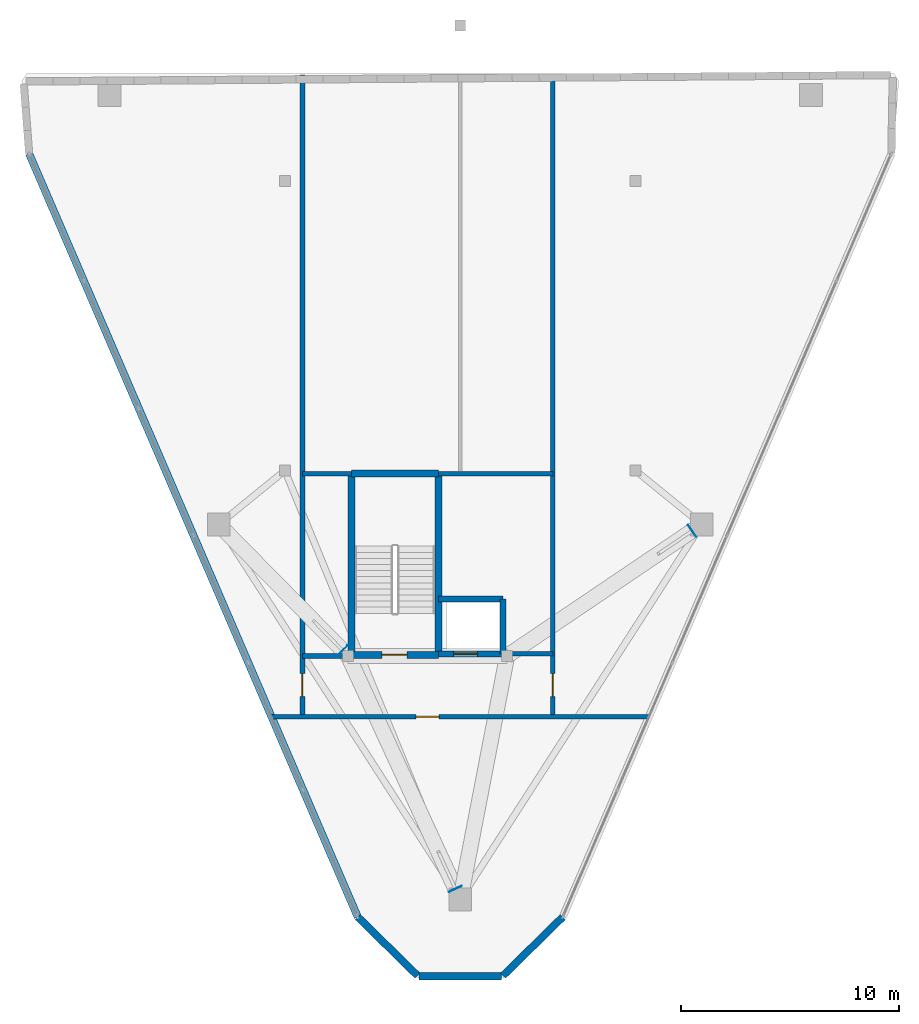
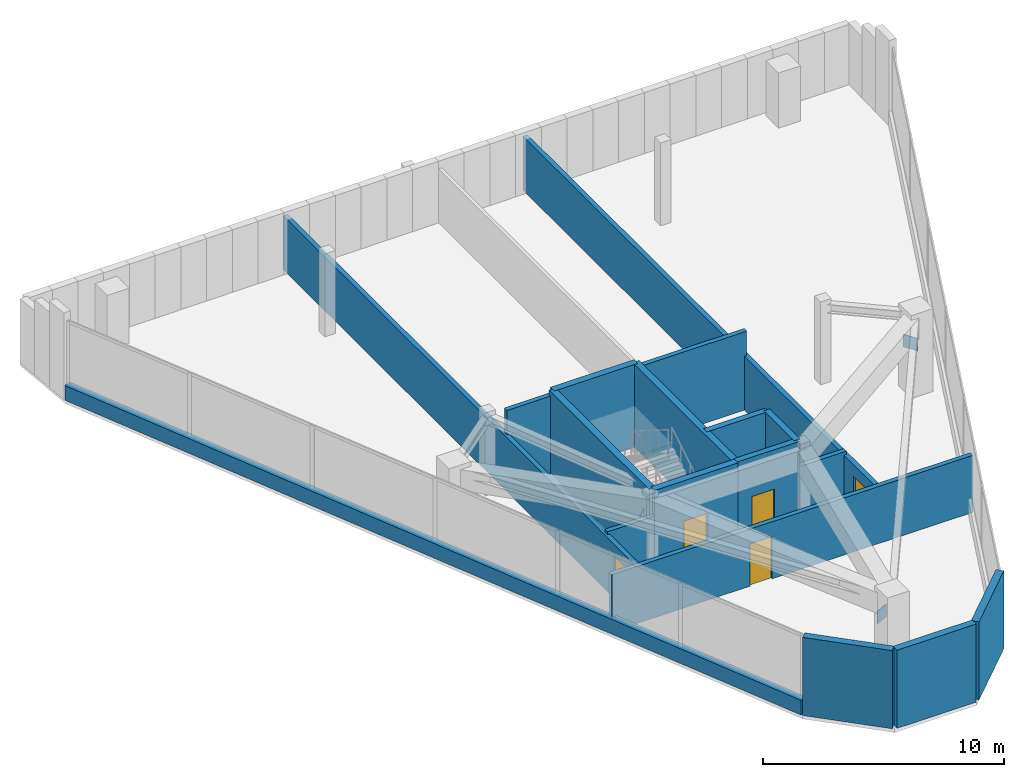
# One storey, part 5 of 7: 18 walls, 5 doors, 3 plates, 5 openings.
"""IFC4 building model written with IfcOpenShell, lengths in metres."""

from ifc_helpers import new_model, si_unit, direction, frame, frame_2d, origin, origin_2d, place, context, subcontext, project, spatial, rectangle, extrude, material, layer, layer_set, type_object, element, fill, save


model = new_model("IFC4")

# Units and contexts
model_context = context("Model", 3, precision=1e-05, world=origin(), true_north=direction((0.0, 1.0)))
body_context = subcontext(model_context, "Body", "Model", "MODEL_VIEW")
ifc_project = project(units=[si_unit("LENGTHUNIT", "METRE"), si_unit("AREAUNIT", "SQUARE_METRE"), si_unit("VOLUMEUNIT", "CUBIC_METRE"), si_unit("PLANEANGLEUNIT", "RADIAN"), si_unit("MASSUNIT", "GRAM", prefix="KILO")], contexts=[model_context])

# Site, building, storey
site_placement = place(None, origin())
site = spatial("IfcSite", under=ifc_project, at=site_placement, CompositionType="ELEMENT")
building_placement = place(site_placement, origin())
building = spatial("IfcBuilding", under=site, at=building_placement, Name="Talyreon Biosciences Tower", CompositionType="ELEMENT")
storey_placement = place(building_placement, frame((0.0, 0.0, 321.39990234375)))
storey = spatial("IfcBuildingStorey", under=building, at=storey_placement, Name="L85", CompositionType="ELEMENT", Elevation=321.39990234375)

# Plates
ifc_material_1 = material(Name="Steel SM355", Category="steel")
ifc_layer_1 = layer(ifc_material_1, 0.028076171875)
ifc_layer_set_1 = layer_set([ifc_layer_1], Name="Steel SM355")
plate_type = type_object("IfcPlateType", Name="HollowEndCapPlate_28", PredefinedType="SHEET", material=ifc_layer_set_1)
for number, where, z_axis, x_axis, name in (
    (1, (65.778076171875, 42.148193359375, 2.355224609375), (0.0, 0.0, 1.0), (-0.908172399575, -0.418596336163, 0.0), "Truss node plate NP-L85-ST-01"),
    (2, (76.647216796875, 58.58349609375, 2.355224609375), (0.0, 0.0, 1.0), (0.560017384428, -0.82848085623, 0.0), "Truss node plate NP-L85-ST-02"),
    (3, (60.59765625, 53.0966796875, 2.355224609375), (0.0, 0.0, 1.0), (-0.713225982371, -0.70093416101, 0.0), "Truss node plate NP-L85-ST-03"),
):
    element("IfcPlate", number, at=place(storey_placement, frame(where, z_axis=z_axis, x_axis=x_axis)), inside=storey, type_object=plate_type, Name=name, PredefinedType="SHEET", context=body_context, shape_type="SweptSolid", body=[
        extrude(rectangle(XDim=0.64990234375, YDim=0.028076171875, at=origin_2d()), origin(), (0.0, 0.0, 1.0), 0.64990234375),
    ])

# Walls
ifc_material_2 = material(Name="Concrete C50/60", Category="concrete")
ifc_layer_2 = layer(ifc_material_2, 0.280029296875)
ifc_layer_set_2 = layer_set([ifc_layer_2], Name="Concrete C50/60")
wall_type_1 = type_object("IfcWallType", Name="CoreShearWall_280", PredefinedType="SHEAR", material=ifc_layer_set_2)
wall_1_placement = place(storey_placement, frame((67.9599609375, 52.93994140625, 0.0), z_axis=(0.0, 0.0, 1.0), x_axis=(0.0, 1.0, 0.0)))
element("IfcWall", 4, at=wall_1_placement, inside=storey, type_object=wall_type_1, Name="L85 Crown Service Lift SL1 Shaft Wall E", PredefinedType="SHEAR", context=body_context, shape_type="SweptSolid", body=[
    extrude(rectangle(XDim=2.52001953125, YDim=0.280029296875, at=frame_2d((1.260009765625, 0.0))), origin(), (0.0, 0.0, 1.0), 4.2001953125),
])
wall_2_placement = place(storey_placement, frame((65.0, 55.4599609375, 0.0), z_axis=(0.0, 0.0, 1.0), x_axis=(1.0, 0.0, 0.0)))
element("IfcWall", 5, at=wall_2_placement, inside=storey, type_object=wall_type_1, Name="L85 Crown Service Lift SL1 Shaft Wall N", PredefinedType="SHEAR", context=body_context, shape_type="SweptSolid", body=[
    extrude(rectangle(XDim=2.9599609375, YDim=0.280029296875, at=frame_2d((1.47998046875, 0.0))), origin(), (0.0, 0.0, 1.0), 4.2001953125),
])

# Wall, opening, door
wall_3_placement = place(storey_placement, frame((65.0, 52.93994140625, 0.0), z_axis=(0.0, 0.0, 1.0), x_axis=(1.0, 0.0, 0.0)))
wall_3 = element("IfcWall", 6, at=wall_3_placement, inside=storey, type_object=wall_type_1, Name="L85 Crown Service Lift SL1 Shaft Wall S", PredefinedType="SHEAR", context=body_context, shape_type="SweptSolid", body=[
    extrude(rectangle(XDim=2.9599609375, YDim=0.280029296875, at=frame_2d((1.47998046875, 0.0))), origin(), (0.0, 0.0, 1.0), 4.2001953125),
])
opening_1_placement = place(wall_3_placement, frame((0.699951171875, 0.0, 0.0)))
opening_1 = element("IfcOpeningElement", 7, at=opening_1_placement, cuts=wall_3, Name="Opening LD-L85-SL1", PredefinedType="OPENING", context=body_context, shape_type="SweptSolid", body=[
    extrude(rectangle(XDim=1.10009765625, YDim=2.199951171875, at=frame_2d((0.550048828125, 1.10009765625))), frame((0.0, 0.14990234375, 0.0), z_axis=(0.0, -1.0, 0.0), x_axis=(1.0, 0.0, 0.0)), (0.0, 0.0, 1.0), 0.300048828125),
])
ifc_material_3 = material(Name="Brushed stainless-steel lift landing door", Category="steel")
door_type_1 = type_object("IfcDoorType", Name="LiftSlidingLandingDoor_1100x2200", OperationType="SLIDING_TO_LEFT", PredefinedType="DOOR", material=ifc_material_3)
door_1_placement = place(opening_1_placement, origin())
door_1 = element("IfcDoor", 8, at=door_1_placement, inside=storey, type_object=door_type_1, Name="L85 Core Door LD-L85-SL1", OperationType="SLIDING_TO_LEFT", OverallHeight=2.199951171875, OverallWidth=1.10009765625, PredefinedType="DOOR", context=body_context, shape_type="SweptSolid", body=[
    extrude(rectangle(XDim=1.10009765625, YDim=2.199951171875, at=frame_2d((0.550048828125, 1.10009765625))), frame((0.0, 0.02490234375, 0.0), z_axis=(0.0, -1.0, 0.0), x_axis=(1.0, 0.0, 0.0)), (0.0, 0.0, 1.0), 0.050048828125),
])
fill(opening_1, door_1)

# Walls
ifc_layer_3 = layer(ifc_material_2, 0.320068359375)
ifc_layer_set_3 = layer_set([ifc_layer_3], Name="Concrete C50/60")
wall_type_2 = type_object("IfcWallType", Name="CoreShearWall_320", PredefinedType="SHEAR", material=ifc_layer_set_3)
for number, where, z_axis, x_axis, name in (
    (9, (61.0, 52.889892578125, 0.0), (0.0, 0.0, 1.0), (0.0, 1.0, 0.0), "L85 Crown Stair ST-4 Structural Wall W"),
    (10, (65.0, 52.889892578125, 0.0), (0.0, 0.0, 1.0), (0.0, 1.0, 0.0), "L85 Crown Stair ST-4 Structural Wall E"),
):
    element("IfcWall", number, at=place(storey_placement, frame(where, z_axis=z_axis, x_axis=x_axis)), inside=storey, type_object=wall_type_2, Name=name, PredefinedType="SHEAR", context=body_context, shape_type="SweptSolid", body=[
        extrude(rectangle(XDim=8.320068359375, YDim=0.320068359375, at=frame_2d((4.16015625, 0.0))), origin(), (0.0, 0.0, 1.0), 4.2001953125),
    ])
wall_4_placement = place(storey_placement, frame((61.0, 61.2099609375, 0.0), z_axis=(0.0, 0.0, 1.0), x_axis=(1.0, 0.0, 0.0)))
element("IfcWall", 11, at=wall_4_placement, inside=storey, type_object=wall_type_2, Name="L85 Crown Stair ST-4 Structural Wall N", PredefinedType="SHEAR", context=body_context, shape_type="SweptSolid", body=[
    extrude(rectangle(XDim=4.0, YDim=0.320068359375, at=frame_2d((2.0, 0.0))), origin(), (0.0, 0.0, 1.0), 4.2001953125),
])

# Wall, opening, door
wall_5_placement = place(storey_placement, frame((61.0, 52.889892578125, 0.0), z_axis=(0.0, 0.0, 1.0), x_axis=(1.0, 0.0, 0.0)))
wall_5 = element("IfcWall", 12, at=wall_5_placement, inside=storey, type_object=wall_type_2, Name="L85 Crown Stair ST-4 Structural Wall S", PredefinedType="SHEAR", context=body_context, shape_type="SweptSolid", body=[
    extrude(rectangle(XDim=4.0, YDim=0.320068359375, at=frame_2d((2.0, 0.0))), origin(), (0.0, 0.0, 1.0), 4.2001953125),
])
opening_2_placement = place(wall_5_placement, frame((1.39990234375, 0.0, 0.0)))
opening_2 = element("IfcOpeningElement", 13, at=opening_2_placement, cuts=wall_5, Name="Opening DR-L85-ST4", PredefinedType="OPENING", context=body_context, shape_type="SweptSolid", body=[
    extrude(rectangle(XDim=1.14990234375, YDim=2.14990234375, at=frame_2d((0.574951171875, 1.074951171875))), frame((0.0, 0.169921875, 0.0), z_axis=(0.0, -1.0, 0.0), x_axis=(1.0, 0.0, 0.0)), (0.0, 0.0, 1.0), 0.340087890625),
])
ifc_material_4 = material(Name="Painted steel fire door", Category="steel")
door_type_2 = type_object("IfcDoorType", Name="StairShaftFireDoor_1150x2150", OperationType="NOTDEFINED", PredefinedType="DOOR", material=ifc_material_4)
door_2_placement = place(opening_2_placement, origin())
door_2 = element("IfcDoor", 14, at=door_2_placement, inside=storey, type_object=door_type_2, Name="L85 Core Door DR-L85-ST4", OperationType="SINGLE_SWING_LEFT", OverallHeight=2.14990234375, OverallWidth=1.14990234375, PredefinedType="DOOR", context=body_context, shape_type="SweptSolid", body=[
    extrude(rectangle(XDim=1.14990234375, YDim=2.14990234375, at=frame_2d((0.574951171875, 1.074951171875))), frame((0.0, 0.02490234375, 0.0), z_axis=(0.0, -1.0, 0.0), x_axis=(1.0, 0.0, 0.0)), (0.0, 0.0, 1.0), 0.050048828125),
])
fill(opening_2, door_2)

ifc_material_5 = material(Name="Gypsum fireboard acoustic stud", Category="gypsum")
ifc_layer_4 = layer(ifc_material_5, 0.219970703125)
ifc_layer_set_4 = layer_set([ifc_layer_4], Name="Gypsum fireboard acoustic stud")
wall_type_3 = type_object("IfcWallType", Name="CorridorRatedPartition_220", PredefinedType="PARTITIONING", material=ifc_layer_set_4)
wall_6_placement = place(storey_placement, frame((57.33837890625, 50.050048828125, 0.0), z_axis=(0.0, 0.0, 1.0), x_axis=(1.0, 0.0, 0.0)))
wall_6 = element("IfcWall", 15, at=wall_6_placement, inside=storey, type_object=wall_type_3, Name="L85 Interior Wall IW-L85-CCOR-S", PredefinedType="PARTITIONING", context=body_context, shape_type="SweptSolid", body=[
    extrude(rectangle(XDim=17.3232421875, YDim=0.219970703125, at=frame_2d((8.66162109375, 0.0))), origin(), (0.0, 0.0, 1.0), 2.89501953125),
])
opening_3_placement = place(wall_6_placement, frame((6.636962890625, 0.0, 0.0)))
opening_3 = element("IfcOpeningElement", 16, at=opening_3_placement, cuts=wall_6, Name="Opening DR-L85-AHU", PredefinedType="OPENING", context=body_context, shape_type="SweptSolid", body=[
    extrude(rectangle(XDim=1.050048828125, YDim=2.14990234375, at=frame_2d((0.52490234375, 1.074951171875))), frame((0.0, 0.119873046875, 0.0), z_axis=(0.0, -1.0, 0.0), x_axis=(1.0, 0.0, 0.0)), (0.0, 0.0, 1.0), 0.239990234375),
])
ifc_material_6 = material(Name="Acoustic timber-core laboratory door", Category="wood")
door_type_3 = type_object("IfcDoorType", Name="DryLabSingleDoor_1050x2150", OperationType="NOTDEFINED", PredefinedType="DOOR", material=ifc_material_6)
door_3_placement = place(opening_3_placement, origin())
door_3 = element("IfcDoor", 17, at=door_3_placement, inside=storey, type_object=door_type_3, Name="L85 Interior Door DR-L85-AHU", OperationType="SINGLE_SWING_LEFT", OverallHeight=2.14990234375, OverallWidth=1.050048828125, PredefinedType="DOOR", context=body_context, shape_type="SweptSolid", body=[
    extrude(rectangle(XDim=1.050048828125, YDim=2.14990234375, at=frame_2d((0.52490234375, 1.074951171875))), frame((0.0, 0.02490234375, 0.0), z_axis=(0.0, -1.0, 0.0), x_axis=(1.0, 0.0, 0.0)), (0.0, 0.0, 1.0), 0.050048828125),
])
fill(opening_3, door_3)

wall_7_placement = place(storey_placement, frame((58.75, 50.050048828125, 0.0), z_axis=(0.0, 0.0, 1.0), x_axis=(0.0, 1.0, 0.0)))
wall_7 = element("IfcWall", 18, at=wall_7_placement, inside=storey, type_object=wall_type_3, Name="L85 Interior Wall IW-L85-CCOR-W", PredefinedType="PARTITIONING", context=body_context, shape_type="SweptSolid", body=[
    extrude(rectangle(XDim=29.457275390625, YDim=0.219970703125, at=frame_2d((14.728515625, 0.0))), origin(), (0.0, 0.0, 1.0), 2.73486328125),
])
opening_4_placement = place(wall_7_placement, frame((0.925048828125, 0.0, 0.0)))
opening_4 = element("IfcOpeningElement", 19, at=opening_4_placement, cuts=wall_7, Name="Opening DR-L85-SWG", PredefinedType="OPENING", context=body_context, shape_type="SweptSolid", body=[
    extrude(rectangle(XDim=1.050048828125, YDim=2.14990234375, at=frame_2d((0.52490234375, 1.074951171875))), frame((0.0, 0.119873046875, 0.0), z_axis=(0.0, -1.0, 0.0), x_axis=(1.0, 0.0, 0.0)), (0.0, 0.0, 1.0), 0.239990234375),
])
door_4_placement = place(opening_4_placement, origin())
door_4 = element("IfcDoor", 20, at=door_4_placement, inside=storey, type_object=door_type_3, Name="L85 Interior Door DR-L85-SWG", OperationType="SINGLE_SWING_LEFT", OverallHeight=2.14990234375, OverallWidth=1.050048828125, PredefinedType="DOOR", context=body_context, shape_type="SweptSolid", body=[
    extrude(rectangle(XDim=1.050048828125, YDim=2.14990234375, at=frame_2d((0.52490234375, 1.074951171875))), frame((0.0, 0.02490234375, 0.0), z_axis=(0.0, -1.0, 0.0), x_axis=(1.0, 0.0, 0.0)), (0.0, 0.0, 1.0), 0.050048828125),
])
fill(opening_4, door_4)

wall_8_placement = place(storey_placement, frame((70.25, 50.050048828125, 0.0), z_axis=(0.0, 0.0, 1.0), x_axis=(0.0, 1.0, 0.0)))
wall_8 = element("IfcWall", 21, at=wall_8_placement, inside=storey, type_object=wall_type_3, Name="L85 Interior Wall IW-L85-CCOR-E", PredefinedType="PARTITIONING", context=body_context, shape_type="SweptSolid", body=[
    extrude(rectangle(XDim=29.457275390625, YDim=0.219970703125, at=frame_2d((14.728515625, 0.0))), origin(), (0.0, 0.0, 1.0), 2.73486328125),
])
opening_5_placement = place(wall_8_placement, frame((0.925048828125, 0.0, 0.0)))
opening_5 = element("IfcOpeningElement", 22, at=opening_5_placement, cuts=wall_8, Name="Opening DR-L85-CHL", PredefinedType="OPENING", context=body_context, shape_type="SweptSolid", body=[
    extrude(rectangle(XDim=1.050048828125, YDim=2.14990234375, at=frame_2d((0.52490234375, 1.074951171875))), frame((0.0, 0.119873046875, 0.0), z_axis=(0.0, -1.0, 0.0), x_axis=(1.0, 0.0, 0.0)), (0.0, 0.0, 1.0), 0.239990234375),
])
door_5_placement = place(opening_5_placement, origin())
door_5 = element("IfcDoor", 23, at=door_5_placement, inside=storey, type_object=door_type_3, Name="L85 Interior Door DR-L85-CHL", OperationType="SINGLE_SWING_RIGHT", OverallHeight=2.14990234375, OverallWidth=1.050048828125, PredefinedType="DOOR", context=body_context, shape_type="SweptSolid", body=[
    extrude(rectangle(XDim=1.050048828125, YDim=2.14990234375, at=frame_2d((0.52490234375, 1.074951171875))), frame((0.0, 0.02490234375, 0.0), z_axis=(0.0, -1.0, 0.0), x_axis=(1.0, 0.0, 0.0)), (0.0, 0.0, 1.0), 0.050048828125),
])
fill(opening_5, door_5)

# Walls
wall_9_placement = place(storey_placement, frame((58.75, 52.840087890625, 0.0), z_axis=(0.0, 0.0, 1.0), x_axis=(1.0, 0.0, 0.0)))
element("IfcWall", 24, at=wall_9_placement, inside=storey, type_object=wall_type_3, Name="L85 Interior Wall IW-L85-CCOR-NW", PredefinedType="PARTITIONING", context=body_context, shape_type="SweptSolid", body=[
    extrude(rectangle(XDim=2.25, YDim=0.219970703125, at=frame_2d((1.125, 0.0))), origin(), (0.0, 0.0, 1.0), 2.89501953125),
])
wall_10_placement = place(storey_placement, frame((67.9599609375, 52.93994140625, 0.0), z_axis=(0.0, 0.0, 1.0), x_axis=(1.0, 0.0, 0.0)))
element("IfcWall", 25, at=wall_10_placement, inside=storey, type_object=wall_type_3, Name="L85 Interior Wall IW-L85-CCOR-NE", PredefinedType="PARTITIONING", context=body_context, shape_type="SweptSolid", body=[
    extrude(rectangle(XDim=2.2900390625, YDim=0.219970703125, at=frame_2d((1.14501953125, 0.0))), origin(), (0.0, 0.0, 1.0), 2.89501953125),
])
wall_11_placement = place(storey_placement, frame((58.75, 61.2099609375, 0.0), z_axis=(0.0, 0.0, 1.0), x_axis=(1.0, 0.0, 0.0)))
element("IfcWall", 26, at=wall_11_placement, inside=storey, type_object=wall_type_3, Name="L85 Interior Wall IW-L85-CCOR-NTOPW", PredefinedType="PARTITIONING", context=body_context, shape_type="SweptSolid", body=[
    extrude(rectangle(XDim=2.25, YDim=0.219970703125, at=frame_2d((1.125, 0.0))), origin(), (0.0, 0.0, 1.0), 3.965087890625),
])
wall_12_placement = place(storey_placement, frame((65.0, 61.2099609375, 0.0), z_axis=(0.0, 0.0, 1.0), x_axis=(1.0, 0.0, 0.0)))
element("IfcWall", 27, at=wall_12_placement, inside=storey, type_object=wall_type_3, Name="L85 Interior Wall IW-L85-CCOR-NTOPE", PredefinedType="PARTITIONING", context=body_context, shape_type="SweptSolid", body=[
    extrude(rectangle(XDim=5.25, YDim=0.219970703125, at=frame_2d((2.625, 0.0))), origin(), (0.0, 0.0, 1.0), 3.965087890625),
])
ifc_material_7 = material(Name="Precast concrete C45/55", Category="concrete")
ifc_layer_5 = layer(ifc_material_7, 0.340087890625)
ifc_layer_set_5 = layer_set([ifc_layer_5], Name="Precast concrete C45/55")
wall_type_4 = type_object("IfcWallType", Name="PrecastConcreteSpandrelWall_340", PredefinedType="STANDARD", material=ifc_layer_set_5)
wall_13_placement = place(storey_placement, frame((70.708740234375, 40.856689453125, 0.0), z_axis=(0.0, 0.0, 1.0), x_axis=(-0.713578383516, -0.700575399639, 0.0)))
element("IfcWall", 28, at=wall_13_placement, inside=storey, type_object=wall_type_4, Name="L85 Stepped Crown Concrete Wall 04", PredefinedType="STANDARD", context=body_context, shape_type="SweptSolid", body=[
    extrude(rectangle(XDim=3.84912109375, YDim=0.340087890625, at=frame_2d((1.924560546875, 0.0))), origin(), (0.0, 0.0, 1.0), 3.965087890625),
])
wall_14_placement = place(storey_placement, frame((67.89697265625, 38.133544921875, 0.0), z_axis=(0.0, 0.0, 1.0), x_axis=(-1.0, 0.0, 0.0)))
element("IfcWall", 29, at=wall_14_placement, inside=storey, type_object=wall_type_4, Name="L85 Stepped Crown Concrete Wall 05", PredefinedType="STANDARD", context=body_context, shape_type="SweptSolid", body=[
    extrude(rectangle(XDim=3.7939453125, YDim=0.340087890625, at=frame_2d((1.89697265625, 0.0))), origin(), (0.0, 0.0, 1.0), 3.965087890625),
])
wall_15_placement = place(storey_placement, frame((64.037841796875, 38.16015625, 0.0), z_axis=(0.0, 0.0, 1.0), x_axis=(-0.713578383516, 0.700575399639, 0.0)))
element("IfcWall", 30, at=wall_15_placement, inside=storey, type_object=wall_type_4, Name="L85 Stepped Crown Concrete Wall 06", PredefinedType="STANDARD", context=body_context, shape_type="SweptSolid", body=[
    extrude(rectangle(XDim=3.84912109375, YDim=0.340087890625, at=frame_2d((1.924560546875, 0.0))), origin(), (0.0, 0.0, 1.0), 3.965087890625),
])
wall_16_placement = place(storey_placement, frame((61.291259765625, 40.856689453125, 0.0), z_axis=(0.0, 0.0, 1.0), x_axis=(-0.395452427469, 0.918486460221, 0.0)))
element("IfcWall", 31, at=wall_16_placement, inside=storey, type_object=wall_type_4, Name="L85 Stepped Crown Sill Wall 07", PredefinedType="STANDARD", context=body_context, shape_type="SweptSolid", body=[
    extrude(rectangle(XDim=38.1552734375, YDim=0.340087890625, at=frame_2d((19.07763671875, 0.0))), origin(), (0.0, 0.0, 1.0), 0.75),
])

save(model, "model.ifc")
